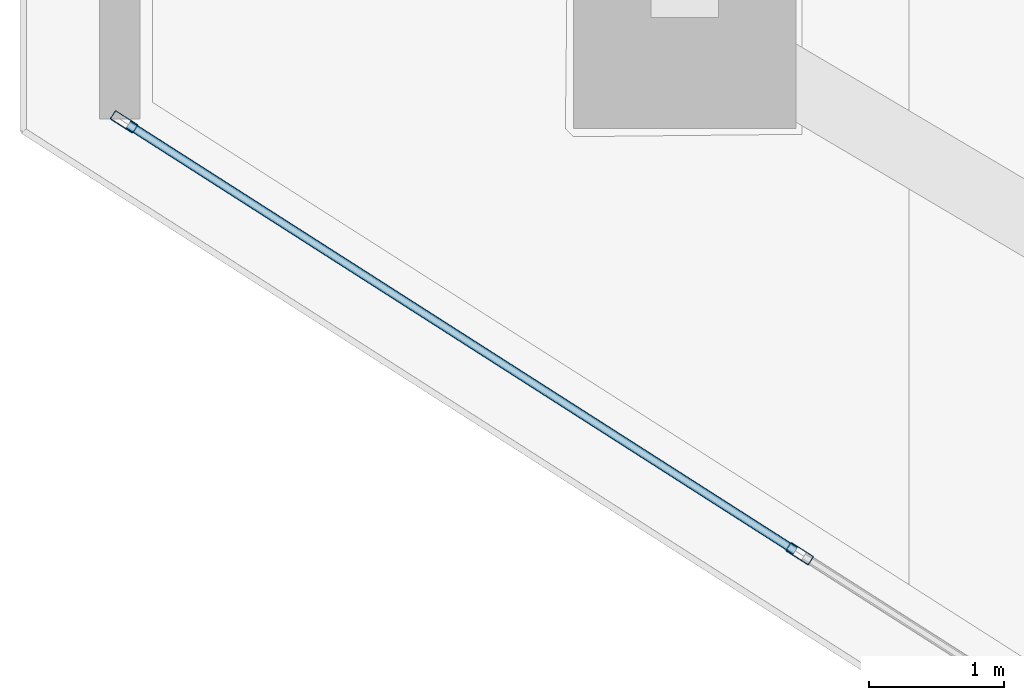
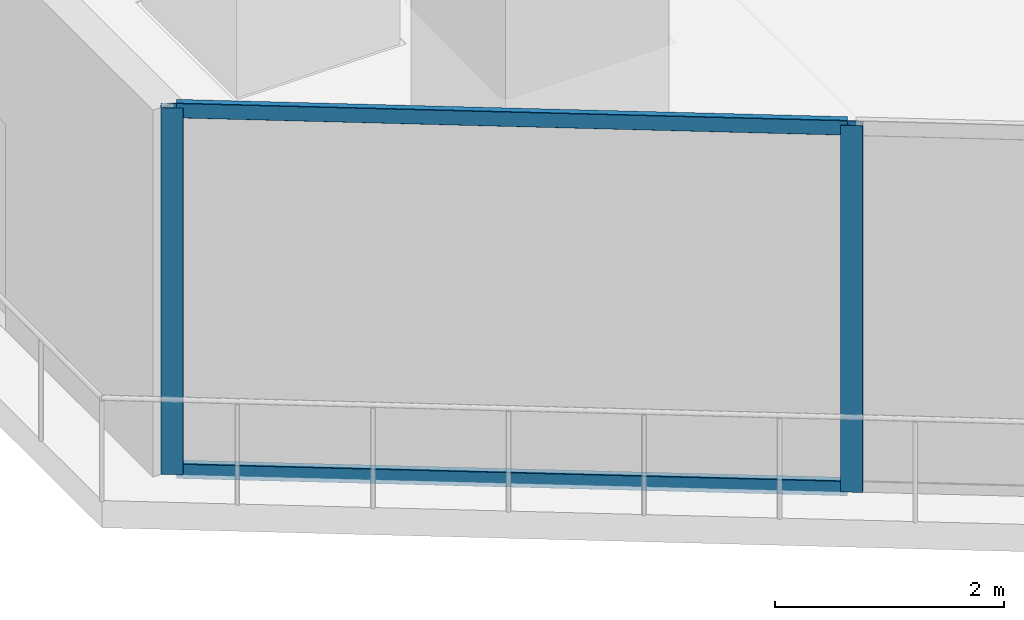
# One storey, part 6 of 33: 4 members, 1 element without a shape of its own.
"""IFC4 building model written with IfcOpenShell, lengths in metres."""

from ifc_helpers import new_model, si_unit, direction, frame, origin, origin_2d, place, context, subcontext, project, spatial, hollow_rectangle, extrude, material, layer, layer_set, material_profile, profile_set, type_object, element, aggregate, save


model = new_model("IFC4")

# Units and contexts
model_context = context("Model", 3, precision=1e-05, world=origin(), true_north=direction((0.0, 1.0)))
body_context = subcontext(model_context, "Body", "Model", "MODEL_VIEW")
ifc_project = project(units=[si_unit("LENGTHUNIT", "METRE"), si_unit("AREAUNIT", "SQUARE_METRE"), si_unit("VOLUMEUNIT", "CUBIC_METRE"), si_unit("PLANEANGLEUNIT", "RADIAN"), si_unit("MASSUNIT", "GRAM", prefix="KILO")], contexts=[model_context])

# Site, building, storey
site_placement = place(None, origin())
site = spatial("IfcSite", under=ifc_project, at=site_placement, CompositionType="ELEMENT")
building_placement = place(site_placement, origin())
building = spatial("IfcBuilding", under=site, at=building_placement, Name="Qorvath Tower", CompositionType="ELEMENT")
storey_placement = place(building_placement, frame((0.0, 0.0, 280.800048828125)))
storey = spatial("IfcBuildingStorey", under=building, at=storey_placement, Name="L65", CompositionType="ELEMENT", Elevation=280.800048828125)

# Curtain wall, members
ifc_material_1 = material(Name="Anodised aluminium and triple low-E glass", Category="aluminium")
ifc_layer = layer(ifc_material_1, 0.179931640625)
ifc_layer_set = layer_set([ifc_layer], Name="CW-SYS-4")
curtain_wall_type = type_object("IfcCurtainWallType", Name="CW-SYS-4", PredefinedType="NOTDEFINED", material=ifc_layer_set)
curtain_wall_placement = place(storey_placement, origin())
curtain_wall = element("IfcCurtainWall", 1, at=curtain_wall_placement, inside=storey, type_object=curtain_wall_type, Name="Curtain Wall CW-4 CW-T-L65-2.1", PredefinedType="NOTDEFINED")
ifc_material_2 = material(Name="Anodised aluminium 6063-T6", Category="aluminium")
ifc_material_profile_1 = material_profile(ifc_material_2, hollow_rectangle(XDim=0.074951171875, YDim=0.199951171875, WallThickness=0.00390625, InnerFilletRadius=0.00390625, OuterFilletRadius=0.008056640625, at=origin_2d()), Name="CWM 200x75")
ifc_profile_set_1 = profile_set([ifc_material_profile_1], Name="Anodised aluminium 6063-T6")
member_type_1 = type_object("IfcMemberType", Name="CWM-200", PredefinedType="MULLION", material=ifc_profile_set_1)
member_1_placement = place(storey_placement, frame((-51.693603515625, -3.125, 0.0), z_axis=(0.0, 0.0, 1.0), x_axis=(0.53853079026, 0.842605831894, 0.0)))
member_1 = element("IfcMember", 2, at=member_1_placement, type_object=member_type_1, Name="CW-4 mullion 1", PredefinedType="MULLION", context=body_context, shape_type="SweptSolid", body=[
    extrude(hollow_rectangle(XDim=0.074951171875, YDim=0.199951171875, WallThickness=0.00390625, InnerFilletRadius=0.00390625, OuterFilletRadius=0.008056640625, at=origin_2d()), origin(), (0.0, 0.0, 1.0), 3.909912109375),
])
member_2_placement = place(storey_placement, frame((-46.6865234375, -6.324951171875, 0.0), z_axis=(0.0, 0.0, 1.0), x_axis=(0.53853079026, 0.842605831894, 0.0)))
member_2 = element("IfcMember", 3, at=member_2_placement, type_object=member_type_1, Name="CW-4 mullion 2", PredefinedType="MULLION", context=body_context, shape_type="SweptSolid", body=[
    extrude(hollow_rectangle(XDim=0.074951171875, YDim=0.199951171875, WallThickness=0.00390625, InnerFilletRadius=0.00390625, OuterFilletRadius=0.008056640625, at=origin_2d()), origin(), (0.0, 0.0, 1.0), 3.909912109375),
])
ifc_material_3 = material(Name="Anodised aluminium 6063-T6", Category="aluminium")
ifc_material_profile_2 = material_profile(ifc_material_3, hollow_rectangle(XDim=0.06494140625, YDim=0.159912109375, WallThickness=0.00341796875, InnerFilletRadius=0.00341796875, OuterFilletRadius=0.007080078125, at=origin_2d()), Name="CWT 160x65")
ifc_profile_set_2 = profile_set([ifc_material_profile_2], Name="Anodised aluminium 6063-T6")
member_type_2 = type_object("IfcMemberType", Name="CWT-160", PredefinedType="USERDEFINED", material=ifc_profile_set_2)
member_3_placement = place(storey_placement, frame((-51.661865234375, -3.14501953125, 0.032470703125), z_axis=(0.842599227716, -0.53854112327, 0.0), x_axis=(0.53854112327, 0.842599227716, 0.0)))
member_3 = element("IfcMember", 4, at=member_3_placement, type_object=member_type_2, Name="CW-4 transom 1.1", ObjectType="TRANSOM", PredefinedType="USERDEFINED", context=body_context, shape_type="SweptSolid", body=[
    extrude(hollow_rectangle(XDim=0.06494140625, YDim=0.159912109375, WallThickness=0.00341796875, InnerFilletRadius=0.00341796875, OuterFilletRadius=0.007080078125, at=origin_2d()), origin(), (0.0, 0.0, 1.0), 5.8671875),
])
member_4_placement = place(storey_placement, frame((-51.661865234375, -3.14501953125, 3.87744140625), z_axis=(0.842599227716, -0.53854112327, 0.0), x_axis=(0.53854112327, 0.842599227716, 0.0)))
member_4 = element("IfcMember", 5, at=member_4_placement, type_object=member_type_2, Name="CW-4 transom 1.2", ObjectType="TRANSOM", PredefinedType="USERDEFINED", context=body_context, shape_type="SweptSolid", body=[
    extrude(hollow_rectangle(XDim=0.06494140625, YDim=0.159912109375, WallThickness=0.00341796875, InnerFilletRadius=0.00341796875, OuterFilletRadius=0.007080078125, at=origin_2d()), origin(), (0.0, 0.0, 1.0), 5.8671875),
])
aggregate(curtain_wall, [member_1, member_2, member_3, member_4])

save(model, "model.ifc")
